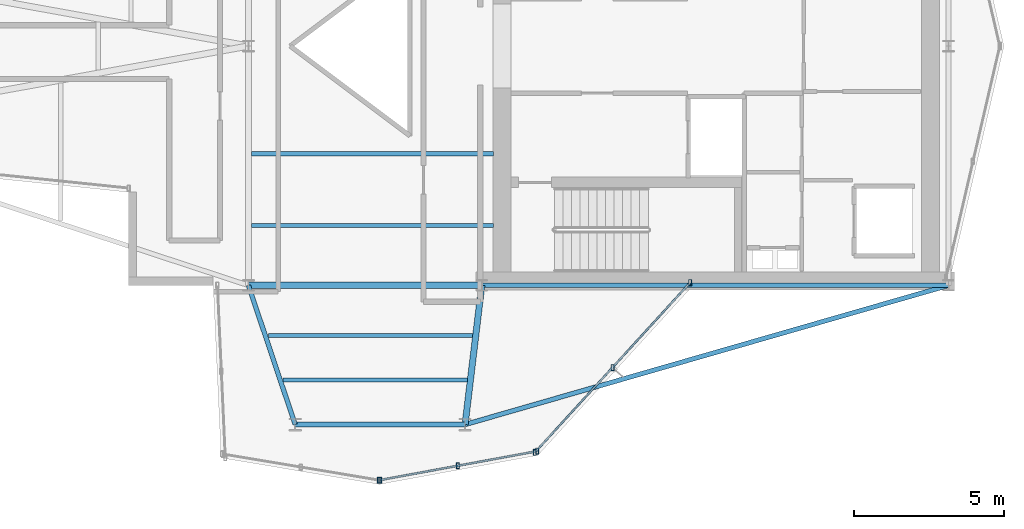
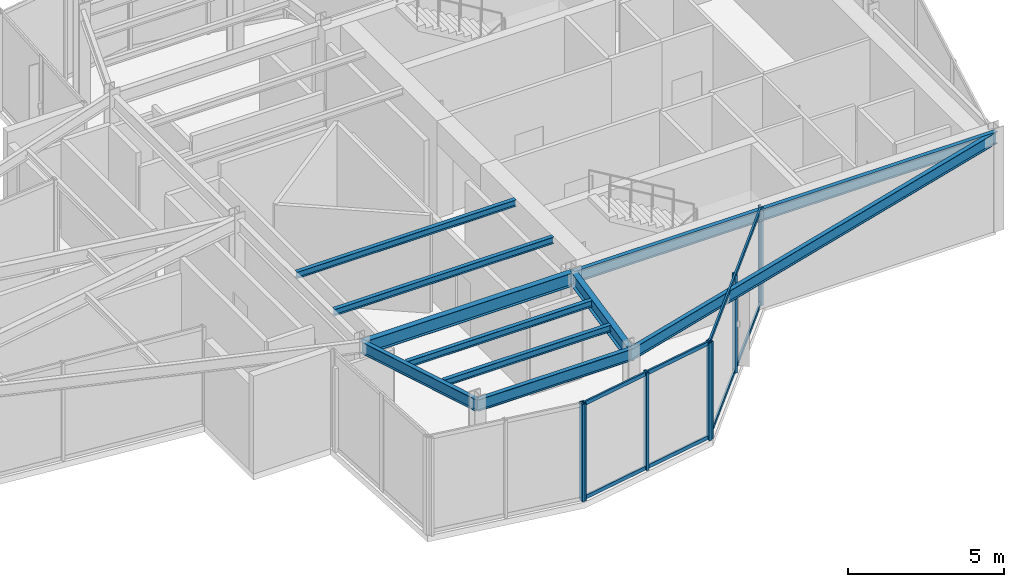
# One storey, part 3 of 13: 11 members, 10 beams, 3 elements without a shape of their own.
"""IFC4 building model written with IfcOpenShell, lengths in metres."""

from ifc_helpers import new_model, si_unit, direction, frame, origin, origin_2d, place, context, subcontext, project, spatial, hollow_rectangle, i_section, extrude, material, layer, layer_set, material_profile, profile_set, type_object, element, aggregate, save


model = new_model("IFC4")

# Units and contexts
model_context = context("Model", 3, precision=1e-05, world=origin(), true_north=direction((0.0, 1.0)))
body_context = subcontext(model_context, "Body", "Model", "MODEL_VIEW")
ifc_project = project(units=[si_unit("LENGTHUNIT", "METRE"), si_unit("AREAUNIT", "SQUARE_METRE"), si_unit("VOLUMEUNIT", "CUBIC_METRE"), si_unit("PLANEANGLEUNIT", "RADIAN"), si_unit("MASSUNIT", "GRAM", prefix="KILO")], contexts=[model_context])

# Site, building, storey
site_placement = place(None, origin())
site = spatial("IfcSite", under=ifc_project, at=site_placement, CompositionType="ELEMENT")
building_placement = place(site_placement, origin())
building = spatial("IfcBuilding", under=site, at=building_placement, Name="Veymaron Broadcast Tower", CompositionType="ELEMENT")
storey_placement = place(building_placement, frame((0.0, 0.0, 279.0)))
storey = spatial("IfcBuildingStorey", under=building, at=storey_placement, Name="L65", CompositionType="ELEMENT", Elevation=279.0)

# Beams
ifc_material_1 = material(Name="Structural steel ASTM A992 Gr 50", Category="steel")
ifc_material_profile_1 = material_profile(ifc_material_1, i_section(OverallWidth=0.208984375, OverallDepth=0.528076171875, WebThickness=0.009521484375, FlangeThickness=0.01318359375, at=origin_2d()), Name="W530X82")
ifc_profile_set_1 = profile_set([ifc_material_profile_1], Name="Structural steel ASTM A992 Gr 50")
beam_type_1 = type_object("IfcBeamType", Name="BM-FG4", PredefinedType="BEAM", material=ifc_profile_set_1)
beam_1_placement = place(storey_placement, frame((31.199951171875, 16.0, 3.5458984375), z_axis=(1.0, 0.0, 0.0), x_axis=(0.0, 1.0, 0.0)))
element("IfcBeam", 1, at=beam_1_placement, inside=storey, type_object=beam_type_1, Name="L65 primary structural floor girder", PredefinedType="BEAM", context=body_context, shape_type="SweptSolid", body=[
    extrude(i_section(OverallWidth=0.208984375, OverallDepth=0.528076171875, WebThickness=0.009521484375, FlangeThickness=0.01318359375, at=origin_2d()), origin(), (0.0, 0.0, 1.0), 7.800048828125),
])
beam_2_placement = place(storey_placement, frame((39.0, 16.0, 3.5458984375), z_axis=(-0.119114400744, -0.992880536387, 0.0), x_axis=(0.992880536387, -0.119114400744, 0.0)))
element("IfcBeam", 2, at=beam_2_placement, inside=storey, type_object=beam_type_1, Name="L65 primary structural floor girder", PredefinedType="BEAM", context=body_context, shape_type="SweptSolid", body=[
    extrude(i_section(OverallWidth=0.208984375, OverallDepth=0.528076171875, WebThickness=0.009521484375, FlangeThickness=0.01318359375, at=origin_2d()), origin(), (0.0, 0.0, 1.0), 4.685546875),
])
ifc_material_profile_2 = material_profile(ifc_material_1, i_section(OverallWidth=0.14599609375, OverallDepth=0.258056640625, WebThickness=0.006103515625, FlangeThickness=0.009033203125, at=origin_2d()), Name="W250X33")
ifc_profile_set_2 = profile_set([ifc_material_profile_2], Name="Structural steel ASTM A992 Gr 50")
beam_type_2 = type_object("IfcBeamType", Name="BM-JS4", PredefinedType="JOIST", material=ifc_profile_set_2)
beam_3_placement = place(storey_placement, frame((31.862548828125, 14.3251953125, 3.680908203125), z_axis=(1.0, 0.0, 0.0), x_axis=(0.0, 1.0, 0.0)))
element("IfcBeam", 3, at=beam_3_placement, inside=storey, type_object=beam_type_2, Name="L65 Arm-C secondary joist 1", PredefinedType="JOIST", context=body_context, shape_type="SweptSolid", body=[
    extrude(i_section(OverallWidth=0.14599609375, OverallDepth=0.258056640625, WebThickness=0.006103515625, FlangeThickness=0.009033203125, at=origin_2d()), origin(), (0.0, 0.0, 1.0), 6.836669921875),
])
beam_4_placement = place(storey_placement, frame((32.3623046875, 12.836669921875, 3.680908203125), z_axis=(1.0, 0.0, 0.0), x_axis=(0.0, 1.0, 0.0)))
element("IfcBeam", 4, at=beam_4_placement, inside=storey, type_object=beam_type_2, Name="L65 Arm-C secondary joist 2", PredefinedType="JOIST", context=body_context, shape_type="SweptSolid", body=[
    extrude(i_section(OverallWidth=0.14599609375, OverallDepth=0.258056640625, WebThickness=0.006103515625, FlangeThickness=0.009033203125, at=origin_2d()), origin(), (0.0, 0.0, 1.0), 6.158203125),
])
for number, where, z_axis, x_axis, name in (
    (5, (31.300048828125, 18.0, 3.680908203125), (1.0, 0.0, 0.0), (0.0, 1.0, 0.0), "L65 Hub secondary joist 1"),
    (6, (31.300048828125, 20.39990234375, 3.680908203125), (1.0, 0.0, 0.0), (0.0, 1.0, 0.0), "L65 Hub secondary joist 2"),
):
    element("IfcBeam", number, at=place(storey_placement, frame(where, z_axis=z_axis, x_axis=x_axis)), inside=storey, type_object=beam_type_2, Name=name, PredefinedType="JOIST", context=body_context, shape_type="SweptSolid", body=[
        extrude(i_section(OverallWidth=0.14599609375, OverallDepth=0.258056640625, WebThickness=0.006103515625, FlangeThickness=0.009033203125, at=origin_2d()), origin(), (0.0, 0.0, 1.0), 8.099853515625),
    ])
ifc_material_profile_3 = material_profile(ifc_material_1, i_section(OverallWidth=0.154052734375, OverallDepth=0.458984375, WebThickness=0.009033203125, FlangeThickness=0.015380859375, at=origin_2d()), Name="W460X68")
ifc_profile_set_3 = profile_set([ifc_material_profile_3], Name="Structural steel ASTM A992 Gr 50")
beam_type_3 = type_object("IfcBeamType", Name="BM-SP2", PredefinedType="SPANDREL", material=ifc_profile_set_3)
beam_5_placement = place(storey_placement, frame((39.0, 16.0, 3.58056640625), z_axis=(1.0, 0.0, 0.0), x_axis=(0.0, 1.0, 0.0)))
element("IfcBeam", 7, at=beam_5_placement, inside=storey, type_object=beam_type_3, Name="L65 primary structural floor girder", PredefinedType="SPANDREL", context=body_context, shape_type="SweptSolid", body=[
    extrude(i_section(OverallWidth=0.154052734375, OverallDepth=0.458984375, WebThickness=0.009033203125, FlangeThickness=0.015380859375, at=origin_2d()), origin(), (0.0, 0.0, 1.0), 15.60009765625),
])
beam_6_placement = place(storey_placement, frame((31.199951171875, 16.0, 3.58056640625), z_axis=(0.318391007143, -0.947959475173, 0.0), x_axis=(0.947959475173, 0.318391007143, 0.0)))
element("IfcBeam", 8, at=beam_6_placement, inside=storey, type_object=beam_type_3, Name="L65 primary structural floor girder", PredefinedType="SPANDREL", context=body_context, shape_type="SweptSolid", body=[
    extrude(i_section(OverallWidth=0.154052734375, OverallDepth=0.458984375, WebThickness=0.009033203125, FlangeThickness=0.015380859375, at=origin_2d()), origin(), (0.0, 0.0, 1.0), 4.907470703125),
])
beam_7_placement = place(storey_placement, frame((54.60009765625, 16.0, 3.58056640625), z_axis=(-0.960964746108, -0.276670845478, 0.0), x_axis=(0.276670845478, -0.960964746108, 0.0)))
element("IfcBeam", 9, at=beam_7_placement, inside=storey, type_object=beam_type_3, Name="L65 primary structural floor girder", PredefinedType="SPANDREL", context=body_context, shape_type="SweptSolid", body=[
    extrude(i_section(OverallWidth=0.154052734375, OverallDepth=0.458984375, WebThickness=0.009033203125, FlangeThickness=0.015380859375, at=origin_2d()), origin(), (0.0, 0.0, 1.0), 16.814453125),
])
beam_8_placement = place(storey_placement, frame((32.762451171875, 11.347900390625, 3.58056640625), z_axis=(1.0, 0.0, 0.0), x_axis=(0.0, 1.0, 0.0)))
element("IfcBeam", 10, at=beam_8_placement, inside=storey, type_object=beam_type_3, Name="L65 primary structural floor girder", PredefinedType="SPANDREL", context=body_context, shape_type="SweptSolid", body=[
    extrude(i_section(OverallWidth=0.154052734375, OverallDepth=0.458984375, WebThickness=0.009033203125, FlangeThickness=0.015380859375, at=origin_2d()), origin(), (0.0, 0.0, 1.0), 5.679443359375),
])

# Curtain wall, member
ifc_material_2 = material(Name="Anodised aluminium AA 6063-T6 and laminated low-E dark glass", Category="aluminium")
ifc_layer = layer(ifc_material_2, 0.179931640625)
ifc_layer_set = layer_set([ifc_layer], Name="Anodised aluminium AA 6063-T6 and laminated low-E dark glass")
curtain_wall_type = type_object("IfcCurtainWallType", Name="CW-SYS-06", PredefinedType="NOTDEFINED", material=ifc_layer_set)
curtain_wall_1_placement = place(storey_placement, origin())
curtain_wall_1 = element("IfcCurtainWall", 11, at=curtain_wall_1_placement, inside=storey, type_object=curtain_wall_type, Name="L65 dark-glass curtain wall CW-L65-E18-1", PredefinedType="NOTDEFINED")
ifc_material_3 = material(Name="Anodised aluminium AA 6063-T6", Category="aluminium")
ifc_material_profile_4 = material_profile(ifc_material_3, hollow_rectangle(XDim=0.10009765625, YDim=0.199951171875, WallThickness=0.010009765625, at=origin_2d()), Name="RHS200X100X10")
ifc_profile_set_4 = profile_set([ifc_material_profile_4], Name="Anodised aluminium AA 6063-T6")
member_type_1 = type_object("IfcMemberType", Name="CW-MUL-01", PredefinedType="MULLION", material=ifc_profile_set_4)
member_1_placement = place(storey_placement, frame((35.604248046875, 9.48486328125, 0.0), z_axis=(0.0, 0.0, 1.0), x_axis=(1.0, 0.0, 0.0)))
member_1 = element("IfcMember", 12, at=member_1_placement, type_object=member_type_1, Name="CW-L65-E18-1 mullion 2", PredefinedType="MULLION", context=body_context, shape_type="SweptSolid", body=[
    extrude(hollow_rectangle(XDim=0.10009765625, YDim=0.199951171875, WallThickness=0.010009765625, at=origin_2d()), origin(), (0.0, 0.0, 1.0), 3.81005859375),
])
aggregate(curtain_wall_1, [member_1])

# Curtain wall, members
curtain_wall_2_placement = place(storey_placement, origin())
curtain_wall_2 = element("IfcCurtainWall", 13, at=curtain_wall_2_placement, inside=storey, type_object=curtain_wall_type, Name="L65 dark-glass curtain wall CW-L65-E19-1", PredefinedType="NOTDEFINED")
member_2_placement = place(storey_placement, frame((35.555908203125, 9.484619140625, 0.0), z_axis=(0.0, 0.0, 1.0), x_axis=(1.0, 0.0, 0.0)))
member_2 = element("IfcMember", 14, at=member_2_placement, type_object=member_type_1, Name="CW-L65-E19-1 mullion 0", PredefinedType="MULLION", context=body_context, shape_type="SweptSolid", body=[
    extrude(hollow_rectangle(XDim=0.10009765625, YDim=0.199951171875, WallThickness=0.010009765625, at=origin_2d()), origin(), (0.0, 0.0, 1.0), 3.81005859375),
])
member_3_placement = place(storey_placement, frame((38.2041015625, 9.970703125, 0.0), z_axis=(0.0, 0.0, 1.0), x_axis=(1.0, 0.0, 0.0)))
member_3 = element("IfcMember", 15, at=member_3_placement, type_object=member_type_1, Name="CW-L65-E19-1 mullion 1", PredefinedType="MULLION", context=body_context, shape_type="SweptSolid", body=[
    extrude(hollow_rectangle(XDim=0.10009765625, YDim=0.199951171875, WallThickness=0.010009765625, at=origin_2d()), origin(), (0.0, 0.0, 1.0), 3.81005859375),
])
member_4_placement = place(storey_placement, frame((40.852294921875, 10.456787109375, 0.0), z_axis=(0.0, 0.0, 1.0), x_axis=(1.0, 0.0, 0.0)))
member_4 = element("IfcMember", 16, at=member_4_placement, type_object=member_type_1, Name="CW-L65-E19-1 mullion 2", PredefinedType="MULLION", context=body_context, shape_type="SweptSolid", body=[
    extrude(hollow_rectangle(XDim=0.10009765625, YDim=0.199951171875, WallThickness=0.010009765625, at=origin_2d()), origin(), (0.0, 0.0, 1.0), 3.81005859375),
])

curtain_wall_3_placement = place(storey_placement, origin())
curtain_wall_3 = element("IfcCurtainWall", 17, at=curtain_wall_3_placement, inside=storey, type_object=curtain_wall_type, Name="L65 dark-glass curtain wall CW-L65-E20-1", PredefinedType="NOTDEFINED")
member_5_placement = place(storey_placement, frame((40.7744140625, 10.41357421875, 0.0), z_axis=(0.0, 0.0, 1.0), x_axis=(1.0, 0.0, 0.0)))
member_5 = element("IfcMember", 18, at=member_5_placement, type_object=member_type_1, Name="CW-L65-E20-1 mullion 0", PredefinedType="MULLION", context=body_context, shape_type="SweptSolid", body=[
    extrude(hollow_rectangle(XDim=0.10009765625, YDim=0.199951171875, WallThickness=0.010009765625, at=origin_2d()), origin(), (0.0, 0.0, 1.0), 3.81005859375),
])
member_6_placement = place(storey_placement, frame((43.3701171875, 13.25390625, 0.0), z_axis=(0.0, 0.0, 1.0), x_axis=(1.0, 0.0, 0.0)))
member_6 = element("IfcMember", 19, at=member_6_placement, type_object=member_type_1, Name="CW-L65-E20-1 mullion 1", PredefinedType="MULLION", context=body_context, shape_type="SweptSolid", body=[
    extrude(hollow_rectangle(XDim=0.10009765625, YDim=0.199951171875, WallThickness=0.010009765625, at=origin_2d()), origin(), (0.0, 0.0, 1.0), 3.81005859375),
])
member_7_placement = place(storey_placement, frame((45.965576171875, 16.094482421875, 0.0), z_axis=(0.0, 0.0, 1.0), x_axis=(1.0, 0.0, 0.0)))
member_7 = element("IfcMember", 20, at=member_7_placement, type_object=member_type_1, Name="CW-L65-E20-1 mullion 2", PredefinedType="MULLION", context=body_context, shape_type="SweptSolid", body=[
    extrude(hollow_rectangle(XDim=0.10009765625, YDim=0.199951171875, WallThickness=0.010009765625, at=origin_2d()), origin(), (0.0, 0.0, 1.0), 3.81005859375),
])

# Member
ifc_material_profile_5 = material_profile(ifc_material_3, hollow_rectangle(XDim=0.06494140625, YDim=0.14990234375, WallThickness=0.00390625, at=origin_2d()), Name="AL150X65X4")
ifc_profile_set_5 = profile_set([ifc_material_profile_5], Name="Anodised aluminium AA 6063-T6")
member_type_2 = type_object("IfcMemberType", Name="CW-TRN-01", PredefinedType="USERDEFINED", material=ifc_profile_set_5)
member_8_placement = place(storey_placement, frame((35.60498046875, 9.493408203125, 0.070068359375), z_axis=(0.983552023681, 0.180625072218, 0.0), x_axis=(-0.180625072218, 0.983552023681, 0.0)))
member_8 = element("IfcMember", 21, at=member_8_placement, type_object=member_type_2, Name="CW-L65-E19-1 transom B", ObjectType="TRANSOM", PredefinedType="USERDEFINED", context=body_context, shape_type="SweptSolid", body=[
    extrude(hollow_rectangle(XDim=0.06494140625, YDim=0.14990234375, WallThickness=0.00390625, at=origin_2d()), origin(), (0.0, 0.0, 1.0), 5.284912109375),
])

member_9_placement = place(storey_placement, frame((35.60498046875, 9.493408203125, 3.739990234375), z_axis=(0.983552023681, 0.180625072218, 0.0), x_axis=(-0.180625072218, 0.983552023681, 0.0)))
member_9 = element("IfcMember", 22, at=member_9_placement, type_object=member_type_2, Name="CW-L65-E19-1 transom T", ObjectType="TRANSOM", PredefinedType="USERDEFINED", context=body_context, shape_type="SweptSolid", body=[
    extrude(hollow_rectangle(XDim=0.06494140625, YDim=0.14990234375, WallThickness=0.00390625, at=origin_2d()), origin(), (0.0, 0.0, 1.0), 5.284912109375),
])

aggregate(curtain_wall_2, [member_2, member_3, member_4, member_8, member_9])

member_10_placement = place(storey_placement, frame((40.80810546875, 10.450439453125, 0.070068359375), z_axis=(0.674569589879, 0.738211262722, 0.0), x_axis=(-0.738211262722, 0.674569589879, 0.0)))
member_10 = element("IfcMember", 23, at=member_10_placement, type_object=member_type_2, Name="CW-L65-E20-1 transom B", ObjectType="TRANSOM", PredefinedType="USERDEFINED", context=body_context, shape_type="SweptSolid", body=[
    extrude(hollow_rectangle(XDim=0.06494140625, YDim=0.14990234375, WallThickness=0.00390625, at=origin_2d()), origin(), (0.0, 0.0, 1.0), 7.595703125),
])

member_11_placement = place(storey_placement, frame((40.80810546875, 10.450439453125, 3.739990234375), z_axis=(0.674569589879, 0.738211262722, 0.0), x_axis=(-0.738211262722, 0.674569589879, 0.0)))
member_11 = element("IfcMember", 24, at=member_11_placement, type_object=member_type_2, Name="CW-L65-E20-1 transom T", ObjectType="TRANSOM", PredefinedType="USERDEFINED", context=body_context, shape_type="SweptSolid", body=[
    extrude(hollow_rectangle(XDim=0.06494140625, YDim=0.14990234375, WallThickness=0.00390625, at=origin_2d()), origin(), (0.0, 0.0, 1.0), 7.595703125),
])

aggregate(curtain_wall_3, [member_5, member_6, member_7, member_10, member_11])

save(model, "model.ifc")
